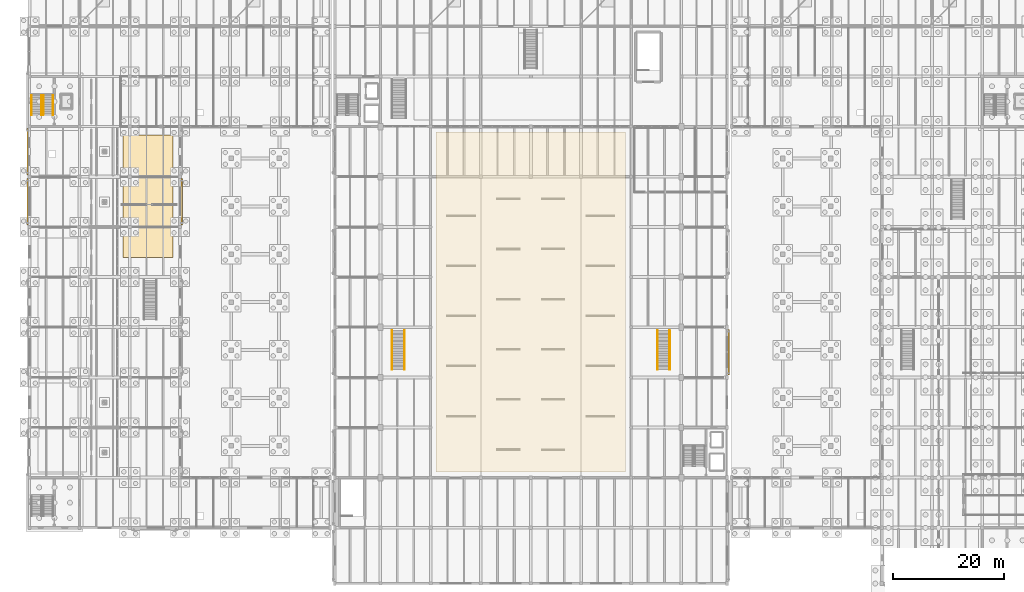
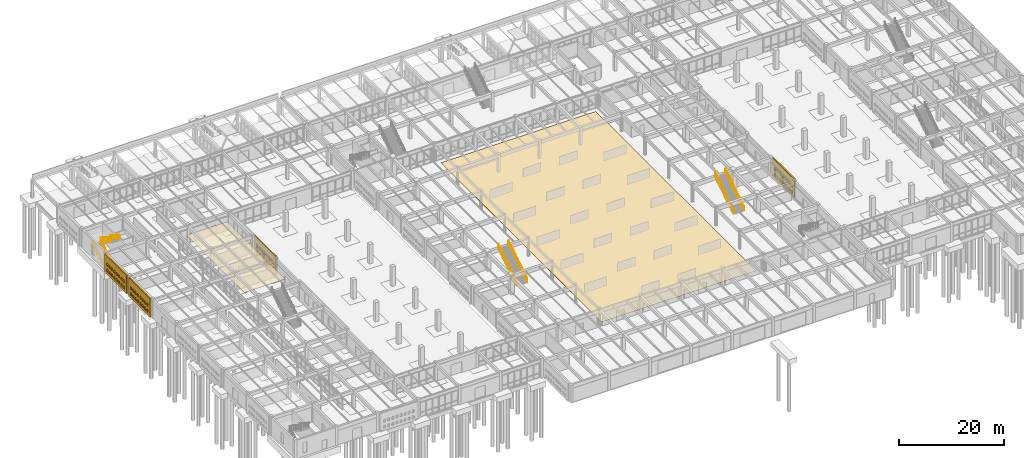
# One storey, part 180 of 186: 11 railings, 6 coverings.
"""IFC4 building model written with IfcOpenShell, lengths in metres."""

from ifc_helpers import new_model, si_unit, direction, frame, origin, origin_2d, place, context, subcontext, project, spatial, polyline, circle, outline, extrude, material, layer, layer_set, type_object, element, save


model = new_model("IFC4")

# Units and contexts
model_context = context("Model", 3, precision=1e-05, world=origin(), true_north=direction((0.0, 1.0)))
body_context = subcontext(model_context, "Body", "Model", "MODEL_VIEW")
ifc_project = project(units=[si_unit("LENGTHUNIT", "METRE"), si_unit("AREAUNIT", "SQUARE_METRE"), si_unit("VOLUMEUNIT", "CUBIC_METRE"), si_unit("PLANEANGLEUNIT", "RADIAN"), si_unit("MASSUNIT", "GRAM", prefix="KILO")], contexts=[model_context])

# Site, building, storey
site_placement = place(None, origin())
site = spatial("IfcSite", under=ifc_project, at=site_placement, CompositionType="ELEMENT")
building_placement = place(site_placement, origin())
building = spatial("IfcBuilding", under=site, at=building_placement, Name="Ornek Quay Market", CompositionType="ELEMENT")
storey_placement = place(building_placement, origin())
storey = spatial("IfcBuildingStorey", under=building, at=storey_placement, Name="L00", CompositionType="ELEMENT", Elevation=0.0)

# Coverings
ifc_material_1 = material(Name="Frost-resistant facing clay brick M200 F100", Category="masonry")
ifc_layer_1 = layer(ifc_material_1, 0.25, Name="Frost-resistant facing clay brick M200 F100", Category="masonry")
ifc_layer_set_1 = layer_set([ifc_layer_1], Name="Frost-resistant facing clay brick M200 F100")
covering_type_1 = type_object("IfcCoveringType", Name="COV-BRICK-LATTICE-250", PredefinedType="CLADDING", material=ifc_layer_set_1)
covering_1_placement = place(storey_placement, frame((-0.340087890625, 74.35009765625, 0.0), z_axis=(0.0, 0.0, 1.0), x_axis=(0.0, 1.0, 0.0)))
element("IfcCovering", 1, at=covering_1_placement, inside=storey, type_object=covering_type_1, Name="Arched brick lattice screen BLS-004", PredefinedType="CLADDING", context=body_context, shape_type="SweptSolid", body=[
    extrude(outline(polyline([(0.0, 0.0), (8.2998046875, 0.0), (8.2998046875, 4.219970703125), (0.0, 4.219970703125), (0.0, 0.0)]), holes=[polyline([(0.760009765625, 0.550048828125), (1.239990234375, 0.550048828125), (1.239990234375, 1.050048828125), (1.1201171875, 1.2578125), (0.8798828125, 1.2578125), (0.760009765625, 1.050048828125), (0.760009765625, 0.550048828125)]), polyline([(0.760009765625, 1.949951171875), (1.239990234375, 1.949951171875), (1.239990234375, 2.449951171875), (1.1201171875, 2.65771484375), (0.8798828125, 2.65771484375), (0.760009765625, 2.449951171875), (0.760009765625, 1.949951171875)]), polyline([(1.659912109375, 0.550048828125), (2.139892578125, 0.550048828125), (2.139892578125, 1.050048828125), (2.02001953125, 1.2578125), (1.780029296875, 1.2578125), (1.659912109375, 1.050048828125), (1.659912109375, 0.550048828125)]), polyline([(1.659912109375, 1.949951171875), (2.139892578125, 1.949951171875), (2.139892578125, 2.449951171875), (2.02001953125, 2.65771484375), (1.780029296875, 2.65771484375), (1.659912109375, 2.449951171875), (1.659912109375, 1.949951171875)]), polyline([(2.56005859375, 0.550048828125), (3.0400390625, 0.550048828125), (3.0400390625, 1.050048828125), (2.919921875, 1.2578125), (2.679931640625, 1.2578125), (2.56005859375, 1.050048828125), (2.56005859375, 0.550048828125)]), polyline([(2.56005859375, 1.949951171875), (3.0400390625, 1.949951171875), (3.0400390625, 2.449951171875), (2.919921875, 2.65771484375), (2.679931640625, 2.65771484375), (2.56005859375, 2.449951171875), (2.56005859375, 1.949951171875)]), polyline([(3.4599609375, 0.550048828125), (3.93994140625, 0.550048828125), (3.93994140625, 1.050048828125), (3.820068359375, 1.2578125), (3.580078125, 1.2578125), (3.4599609375, 1.050048828125), (3.4599609375, 0.550048828125)]), polyline([(3.4599609375, 1.949951171875), (3.93994140625, 1.949951171875), (3.93994140625, 2.449951171875), (3.820068359375, 2.65771484375), (3.580078125, 2.65771484375), (3.4599609375, 2.449951171875), (3.4599609375, 1.949951171875)]), polyline([(4.360107421875, 0.550048828125), (4.840087890625, 0.550048828125), (4.840087890625, 1.050048828125), (4.719970703125, 1.2578125), (4.47998046875, 1.2578125), (4.360107421875, 1.050048828125), (4.360107421875, 0.550048828125)]), polyline([(4.360107421875, 1.949951171875), (4.840087890625, 1.949951171875), (4.840087890625, 2.449951171875), (4.719970703125, 2.65771484375), (4.47998046875, 2.65771484375), (4.360107421875, 2.449951171875), (4.360107421875, 1.949951171875)]), polyline([(5.260009765625, 0.550048828125), (5.739990234375, 0.550048828125), (5.739990234375, 1.050048828125), (5.6201171875, 1.2578125), (5.3798828125, 1.2578125), (5.260009765625, 1.050048828125), (5.260009765625, 0.550048828125)]), polyline([(5.260009765625, 1.949951171875), (5.739990234375, 1.949951171875), (5.739990234375, 2.449951171875), (5.6201171875, 2.65771484375), (5.3798828125, 2.65771484375), (5.260009765625, 2.449951171875), (5.260009765625, 1.949951171875)]), polyline([(6.159912109375, 0.550048828125), (6.639892578125, 0.550048828125), (6.639892578125, 1.050048828125), (6.52001953125, 1.2578125), (6.280029296875, 1.2578125), (6.159912109375, 1.050048828125), (6.159912109375, 0.550048828125)]), polyline([(6.159912109375, 1.949951171875), (6.639892578125, 1.949951171875), (6.639892578125, 2.449951171875), (6.52001953125, 2.65771484375), (6.280029296875, 2.65771484375), (6.159912109375, 2.449951171875), (6.159912109375, 1.949951171875)]), polyline([(7.06005859375, 0.550048828125), (7.5400390625, 0.550048828125), (7.5400390625, 1.050048828125), (7.419921875, 1.2578125), (7.179931640625, 1.2578125), (7.06005859375, 1.050048828125), (7.06005859375, 0.550048828125)]), polyline([(7.06005859375, 1.949951171875), (7.5400390625, 1.949951171875), (7.5400390625, 2.449951171875), (7.419921875, 2.65771484375), (7.179931640625, 2.65771484375), (7.06005859375, 2.449951171875), (7.06005859375, 1.949951171875)])]), frame((0.0, 0.125, 0.0), z_axis=(0.0, -1.0, 0.0), x_axis=(1.0, 0.0, 0.0)), (0.0, 0.0, 1.0), 0.25),
])
covering_2_placement = place(storey_placement, frame((-0.340087890625, 83.35009765625, 0.0), z_axis=(0.0, 0.0, 1.0), x_axis=(0.0, 1.0, 0.0)))
element("IfcCovering", 2, at=covering_2_placement, inside=storey, type_object=covering_type_1, Name="Arched brick lattice screen BLS-005", PredefinedType="CLADDING", context=body_context, shape_type="SweptSolid", body=[
    extrude(outline(polyline([(0.0, 0.0), (8.2998046875, 0.0), (8.2998046875, 4.219970703125), (0.0, 4.219970703125), (0.0, 0.0)]), holes=[polyline([(0.760009765625, 0.550048828125), (1.239990234375, 0.550048828125), (1.239990234375, 1.050048828125), (1.1201171875, 1.2578125), (0.8798828125, 1.2578125), (0.760009765625, 1.050048828125), (0.760009765625, 0.550048828125)]), polyline([(0.760009765625, 1.949951171875), (1.239990234375, 1.949951171875), (1.239990234375, 2.449951171875), (1.1201171875, 2.65771484375), (0.8798828125, 2.65771484375), (0.760009765625, 2.449951171875), (0.760009765625, 1.949951171875)]), polyline([(1.659912109375, 0.550048828125), (2.139892578125, 0.550048828125), (2.139892578125, 1.050048828125), (2.02001953125, 1.2578125), (1.780029296875, 1.2578125), (1.659912109375, 1.050048828125), (1.659912109375, 0.550048828125)]), polyline([(1.659912109375, 1.949951171875), (2.139892578125, 1.949951171875), (2.139892578125, 2.449951171875), (2.02001953125, 2.65771484375), (1.780029296875, 2.65771484375), (1.659912109375, 2.449951171875), (1.659912109375, 1.949951171875)]), polyline([(2.56005859375, 0.550048828125), (3.0400390625, 0.550048828125), (3.0400390625, 1.050048828125), (2.919921875, 1.2578125), (2.679931640625, 1.2578125), (2.56005859375, 1.050048828125), (2.56005859375, 0.550048828125)]), polyline([(2.56005859375, 1.949951171875), (3.0400390625, 1.949951171875), (3.0400390625, 2.449951171875), (2.919921875, 2.65771484375), (2.679931640625, 2.65771484375), (2.56005859375, 2.449951171875), (2.56005859375, 1.949951171875)]), polyline([(3.4599609375, 0.550048828125), (3.93994140625, 0.550048828125), (3.93994140625, 1.050048828125), (3.820068359375, 1.2578125), (3.580078125, 1.2578125), (3.4599609375, 1.050048828125), (3.4599609375, 0.550048828125)]), polyline([(3.4599609375, 1.949951171875), (3.93994140625, 1.949951171875), (3.93994140625, 2.449951171875), (3.820068359375, 2.65771484375), (3.580078125, 2.65771484375), (3.4599609375, 2.449951171875), (3.4599609375, 1.949951171875)]), polyline([(4.360107421875, 0.550048828125), (4.840087890625, 0.550048828125), (4.840087890625, 1.050048828125), (4.719970703125, 1.2578125), (4.47998046875, 1.2578125), (4.360107421875, 1.050048828125), (4.360107421875, 0.550048828125)]), polyline([(4.360107421875, 1.949951171875), (4.840087890625, 1.949951171875), (4.840087890625, 2.449951171875), (4.719970703125, 2.65771484375), (4.47998046875, 2.65771484375), (4.360107421875, 2.449951171875), (4.360107421875, 1.949951171875)]), polyline([(5.260009765625, 0.550048828125), (5.739990234375, 0.550048828125), (5.739990234375, 1.050048828125), (5.6201171875, 1.2578125), (5.3798828125, 1.2578125), (5.260009765625, 1.050048828125), (5.260009765625, 0.550048828125)]), polyline([(5.260009765625, 1.949951171875), (5.739990234375, 1.949951171875), (5.739990234375, 2.449951171875), (5.6201171875, 2.65771484375), (5.3798828125, 2.65771484375), (5.260009765625, 2.449951171875), (5.260009765625, 1.949951171875)]), polyline([(6.159912109375, 0.550048828125), (6.639892578125, 0.550048828125), (6.639892578125, 1.050048828125), (6.52001953125, 1.2578125), (6.280029296875, 1.2578125), (6.159912109375, 1.050048828125), (6.159912109375, 0.550048828125)]), polyline([(6.159912109375, 1.949951171875), (6.639892578125, 1.949951171875), (6.639892578125, 2.449951171875), (6.52001953125, 2.65771484375), (6.280029296875, 2.65771484375), (6.159912109375, 2.449951171875), (6.159912109375, 1.949951171875)]), polyline([(7.06005859375, 0.550048828125), (7.5400390625, 0.550048828125), (7.5400390625, 1.050048828125), (7.419921875, 1.2578125), (7.179931640625, 1.2578125), (7.06005859375, 1.050048828125), (7.06005859375, 0.550048828125)]), polyline([(7.06005859375, 1.949951171875), (7.5400390625, 1.949951171875), (7.5400390625, 2.449951171875), (7.419921875, 2.65771484375), (7.179931640625, 2.65771484375), (7.06005859375, 2.449951171875), (7.06005859375, 1.949951171875)])]), frame((0.0, 0.125, 0.0), z_axis=(0.0, -1.0, 0.0), x_axis=(1.0, 0.0, 0.0)), (0.0, 0.0, 1.0), 0.25),
])
covering_3_placement = place(storey_placement, frame((27.340087890625, 74.35009765625, 0.0), z_axis=(0.0, 0.0, 1.0), x_axis=(0.0, 1.0, 0.0)))
element("IfcCovering", 3, at=covering_3_placement, inside=storey, type_object=covering_type_1, Name="Arched brick lattice screen BLS-010", PredefinedType="CLADDING", context=body_context, shape_type="SweptSolid", body=[
    extrude(outline(polyline([(0.0, 0.0), (8.2998046875, 0.0), (8.2998046875, 4.219970703125), (0.0, 4.219970703125), (0.0, 0.0)]), holes=[polyline([(0.760009765625, 0.550048828125), (1.239990234375, 0.550048828125), (1.239990234375, 1.050048828125), (1.1201171875, 1.2578125), (0.8798828125, 1.2578125), (0.760009765625, 1.050048828125), (0.760009765625, 0.550048828125)]), polyline([(0.760009765625, 1.949951171875), (1.239990234375, 1.949951171875), (1.239990234375, 2.449951171875), (1.1201171875, 2.65771484375), (0.8798828125, 2.65771484375), (0.760009765625, 2.449951171875), (0.760009765625, 1.949951171875)]), polyline([(1.659912109375, 0.550048828125), (2.139892578125, 0.550048828125), (2.139892578125, 1.050048828125), (2.02001953125, 1.2578125), (1.780029296875, 1.2578125), (1.659912109375, 1.050048828125), (1.659912109375, 0.550048828125)]), polyline([(1.659912109375, 1.949951171875), (2.139892578125, 1.949951171875), (2.139892578125, 2.449951171875), (2.02001953125, 2.65771484375), (1.780029296875, 2.65771484375), (1.659912109375, 2.449951171875), (1.659912109375, 1.949951171875)]), polyline([(2.56005859375, 0.550048828125), (3.0400390625, 0.550048828125), (3.0400390625, 1.050048828125), (2.919921875, 1.2578125), (2.679931640625, 1.2578125), (2.56005859375, 1.050048828125), (2.56005859375, 0.550048828125)]), polyline([(2.56005859375, 1.949951171875), (3.0400390625, 1.949951171875), (3.0400390625, 2.449951171875), (2.919921875, 2.65771484375), (2.679931640625, 2.65771484375), (2.56005859375, 2.449951171875), (2.56005859375, 1.949951171875)]), polyline([(3.4599609375, 0.550048828125), (3.93994140625, 0.550048828125), (3.93994140625, 1.050048828125), (3.820068359375, 1.2578125), (3.580078125, 1.2578125), (3.4599609375, 1.050048828125), (3.4599609375, 0.550048828125)]), polyline([(3.4599609375, 1.949951171875), (3.93994140625, 1.949951171875), (3.93994140625, 2.449951171875), (3.820068359375, 2.65771484375), (3.580078125, 2.65771484375), (3.4599609375, 2.449951171875), (3.4599609375, 1.949951171875)]), polyline([(4.360107421875, 0.550048828125), (4.840087890625, 0.550048828125), (4.840087890625, 1.050048828125), (4.719970703125, 1.2578125), (4.47998046875, 1.2578125), (4.360107421875, 1.050048828125), (4.360107421875, 0.550048828125)]), polyline([(4.360107421875, 1.949951171875), (4.840087890625, 1.949951171875), (4.840087890625, 2.449951171875), (4.719970703125, 2.65771484375), (4.47998046875, 2.65771484375), (4.360107421875, 2.449951171875), (4.360107421875, 1.949951171875)]), polyline([(5.260009765625, 0.550048828125), (5.739990234375, 0.550048828125), (5.739990234375, 1.050048828125), (5.6201171875, 1.2578125), (5.3798828125, 1.2578125), (5.260009765625, 1.050048828125), (5.260009765625, 0.550048828125)]), polyline([(5.260009765625, 1.949951171875), (5.739990234375, 1.949951171875), (5.739990234375, 2.449951171875), (5.6201171875, 2.65771484375), (5.3798828125, 2.65771484375), (5.260009765625, 2.449951171875), (5.260009765625, 1.949951171875)]), polyline([(6.159912109375, 0.550048828125), (6.639892578125, 0.550048828125), (6.639892578125, 1.050048828125), (6.52001953125, 1.2578125), (6.280029296875, 1.2578125), (6.159912109375, 1.050048828125), (6.159912109375, 0.550048828125)]), polyline([(6.159912109375, 1.949951171875), (6.639892578125, 1.949951171875), (6.639892578125, 2.449951171875), (6.52001953125, 2.65771484375), (6.280029296875, 2.65771484375), (6.159912109375, 2.449951171875), (6.159912109375, 1.949951171875)]), polyline([(7.06005859375, 0.550048828125), (7.5400390625, 0.550048828125), (7.5400390625, 1.050048828125), (7.419921875, 1.2578125), (7.179931640625, 1.2578125), (7.06005859375, 1.050048828125), (7.06005859375, 0.550048828125)]), polyline([(7.06005859375, 1.949951171875), (7.5400390625, 1.949951171875), (7.5400390625, 2.449951171875), (7.419921875, 2.65771484375), (7.179931640625, 2.65771484375), (7.06005859375, 2.449951171875), (7.06005859375, 1.949951171875)])]), frame((0.0, 0.125, 0.0), z_axis=(0.0, -1.0, 0.0), x_axis=(1.0, 0.0, 0.0)), (0.0, 0.0, 1.0), 0.25),
])
ifc_layer_2 = layer(ifc_material_1, 0.2900390625, Name="Frost-resistant facing clay brick M200 F100", Category="masonry")
ifc_layer_set_2 = layer_set([ifc_layer_2], Name="Frost-resistant facing clay brick M200 F100")
covering_type_2 = type_object("IfcCoveringType", Name="COV-BRICK-LATTICE-290", PredefinedType="CLADDING", material=ifc_layer_set_2)
covering_4_placement = place(storey_placement, frame((125.5400390625, 47.39990234375, 0.0), z_axis=(0.0, 0.0, 1.0), x_axis=(0.0, 1.0, 0.0)))
element("IfcCovering", 4, at=covering_4_placement, inside=storey, type_object=covering_type_2, Name="Arched brick lattice screen BLS-039", PredefinedType="CLADDING", context=body_context, shape_type="SweptSolid", body=[
    extrude(outline(polyline([(0.0, 0.0), (8.2001953125, 0.0), (8.2001953125, 4.239990234375), (0.0, 4.239990234375), (0.0, 0.0)]), holes=[polyline([(0.7099609375, 0.550048828125), (1.18994140625, 0.550048828125), (1.18994140625, 1.050048828125), (1.070068359375, 1.2578125), (0.830078125, 1.2578125), (0.7099609375, 1.050048828125), (0.7099609375, 0.550048828125)]), polyline([(0.7099609375, 1.949951171875), (1.18994140625, 1.949951171875), (1.18994140625, 2.449951171875), (1.070068359375, 2.65771484375), (0.830078125, 2.65771484375), (0.7099609375, 2.449951171875), (0.7099609375, 1.949951171875)]), polyline([(1.610107421875, 0.550048828125), (2.090087890625, 0.550048828125), (2.090087890625, 1.050048828125), (1.969970703125, 1.2578125), (1.72998046875, 1.2578125), (1.610107421875, 1.050048828125), (1.610107421875, 0.550048828125)]), polyline([(1.610107421875, 1.949951171875), (2.090087890625, 1.949951171875), (2.090087890625, 2.449951171875), (1.969970703125, 2.65771484375), (1.72998046875, 2.65771484375), (1.610107421875, 2.449951171875), (1.610107421875, 1.949951171875)]), polyline([(2.510009765625, 0.550048828125), (2.989990234375, 0.550048828125), (2.989990234375, 1.050048828125), (2.8701171875, 1.2578125), (2.6298828125, 1.2578125), (2.510009765625, 1.050048828125), (2.510009765625, 0.550048828125)]), polyline([(2.510009765625, 1.949951171875), (2.989990234375, 1.949951171875), (2.989990234375, 2.449951171875), (2.8701171875, 2.65771484375), (2.6298828125, 2.65771484375), (2.510009765625, 2.449951171875), (2.510009765625, 1.949951171875)]), polyline([(3.409912109375, 0.550048828125), (3.889892578125, 0.550048828125), (3.889892578125, 1.050048828125), (3.77001953125, 1.2578125), (3.530029296875, 1.2578125), (3.409912109375, 1.050048828125), (3.409912109375, 0.550048828125)]), polyline([(3.409912109375, 1.949951171875), (3.889892578125, 1.949951171875), (3.889892578125, 2.449951171875), (3.77001953125, 2.65771484375), (3.530029296875, 2.65771484375), (3.409912109375, 2.449951171875), (3.409912109375, 1.949951171875)]), polyline([(4.31005859375, 0.550048828125), (4.7900390625, 0.550048828125), (4.7900390625, 1.050048828125), (4.669921875, 1.2578125), (4.429931640625, 1.2578125), (4.31005859375, 1.050048828125), (4.31005859375, 0.550048828125)]), polyline([(4.31005859375, 1.949951171875), (4.7900390625, 1.949951171875), (4.7900390625, 2.449951171875), (4.669921875, 2.65771484375), (4.429931640625, 2.65771484375), (4.31005859375, 2.449951171875), (4.31005859375, 1.949951171875)]), polyline([(5.2099609375, 0.550048828125), (5.68994140625, 0.550048828125), (5.68994140625, 1.050048828125), (5.570068359375, 1.2578125), (5.330078125, 1.2578125), (5.2099609375, 1.050048828125), (5.2099609375, 0.550048828125)]), polyline([(5.2099609375, 1.949951171875), (5.68994140625, 1.949951171875), (5.68994140625, 2.449951171875), (5.570068359375, 2.65771484375), (5.330078125, 2.65771484375), (5.2099609375, 2.449951171875), (5.2099609375, 1.949951171875)]), polyline([(6.110107421875, 0.550048828125), (6.590087890625, 0.550048828125), (6.590087890625, 1.050048828125), (6.469970703125, 1.2578125), (6.22998046875, 1.2578125), (6.110107421875, 1.050048828125), (6.110107421875, 0.550048828125)]), polyline([(6.110107421875, 1.949951171875), (6.590087890625, 1.949951171875), (6.590087890625, 2.449951171875), (6.469970703125, 2.65771484375), (6.22998046875, 2.65771484375), (6.110107421875, 2.449951171875), (6.110107421875, 1.949951171875)]), polyline([(7.010009765625, 0.550048828125), (7.489990234375, 0.550048828125), (7.489990234375, 1.050048828125), (7.3701171875, 1.2578125), (7.1298828125, 1.2578125), (7.010009765625, 1.050048828125), (7.010009765625, 0.550048828125)]), polyline([(7.010009765625, 1.949951171875), (7.489990234375, 1.949951171875), (7.489990234375, 2.449951171875), (7.3701171875, 2.65771484375), (7.1298828125, 2.65771484375), (7.010009765625, 2.449951171875), (7.010009765625, 1.949951171875)])]), frame((0.0, 0.14501953125, 0.0), z_axis=(0.0, -1.0, 0.0), x_axis=(1.0, 0.0, 0.0)), (0.0, 0.0, 1.0), 0.2900390625),
])
ifc_material_2 = material(Name="Perforated larch acoustic slat ceiling", Category="other")
ifc_layer_3 = layer(ifc_material_2, 0.044921875, Name="Perforated larch acoustic slat ceiling", Category="other")
ifc_layer_set_3 = layer_set([ifc_layer_3], Name="Perforated larch acoustic slat ceiling")
covering_type_3 = type_object("IfcCoveringType", Name="COV-CEIL-TIMBER-45", PredefinedType="CEILING", material=ifc_layer_set_3)
covering_5_placement = place(storey_placement, frame((0.0, 0.0, 3.14990234375)))
element("IfcCovering", 5, at=covering_5_placement, inside=storey, type_object=covering_type_3, Name="Suspended acoustic ceiling CLG-03", PredefinedType="CEILING", context=body_context, shape_type="SweptSolid", body=[
    extrude(outline(polyline([(16.800048828125, 68.5), (25.800048828125, 68.5), (25.800048828125, 90.5), (16.800048828125, 90.5), (16.800048828125, 68.5)])), origin(), (0.0, 0.0, 1.0), 0.045166015625),
])
ifc_material_3 = material(Name="Polished granite-aggregate terrazzo flooring", Category="masonry")
ifc_layer_4 = layer(ifc_material_3, 0.034912109375, Name="Polished granite-aggregate terrazzo flooring", Category="masonry")
ifc_layer_set_4 = layer_set([ifc_layer_4], Name="Polished granite-aggregate terrazzo flooring")
covering_type_4 = type_object("IfcCoveringType", Name="COV-FLR-TERRAZZO-35", PredefinedType="FLOORING", material=ifc_layer_set_4)
covering_6_placement = place(storey_placement, origin())
element("IfcCovering", 6, at=covering_6_placement, inside=storey, type_object=covering_type_4, Name="Finished flooring FLG-14", PredefinedType="FLOORING", context=body_context, shape_type="SweptSolid", body=[
    extrude(outline(polyline([(73.0, 30.0), (107.0, 30.0), (107.0, 91.0), (73.0, 91.0), (73.0, 30.0)])), origin(), (0.0, 0.0, 1.0), 0.034912109375),
])

# Railings
ifc_material_4 = material(Name="Brushed stainless steel 316", Category="steel")
railing_type_1 = type_object("IfcRailingType", Name="RL-GUARD-STAIR-1100", PredefinedType="GUARDRAIL", material=ifc_material_4)
railing_1_placement = place(storey_placement, frame((2.10009765625, 94.095947265625, 0.0)))
element("IfcRailing", 7, at=railing_1_placement, inside=storey, type_object=railing_type_1, Name="Railing GR-03-001", PredefinedType="GUARDRAIL", context=body_context, shape_type="SweptSolid", body=[
    extrude(circle(Radius=0.02392578125, at=origin_2d()), frame((0.0, 0.0, 1.09619140625), z_axis=(0.0, 0.840903622667, 0.541184901292), x_axis=(-1.0, 0.0, 0.0)), (0.0, 0.0, 1.0), 4.12744140625),
    extrude(circle(Radius=0.02392578125, at=origin_2d()), frame((0.030029296875, 3.49609375, 3.34619140625), z_axis=(1.0, 0.0, 0.0), x_axis=(0.0, 1.0, 0.0)), (0.0, 0.0, 1.0), 0.33984375),
    extrude(circle(Radius=0.02392578125, at=origin_2d()), frame((0.39990234375, 3.470947265625, 3.3623046875), z_axis=(0.0, -0.840610876962, 0.541639505145), x_axis=(1.0, 0.0, 0.0)), (0.0, 0.0, 1.0), 4.1240234375),
    extrude(circle(Radius=0.02099609375, at=origin_2d()), origin(), (0.0, 0.0, 1.0), 1.068115234375),
    extrude(circle(Radius=0.02099609375, at=origin_2d()), frame((0.0, 0.8740234375, 0.5625)), (0.0, 0.0, 1.0), 1.068115234375),
    extrude(circle(Radius=0.02099609375, at=origin_2d()), frame((0.0, 1.748046875, 1.125)), (0.0, 0.0, 1.0), 1.068115234375),
    extrude(circle(Radius=0.02099609375, at=origin_2d()), frame((0.0, 2.6220703125, 1.6875)), (0.0, 0.0, 1.0), 1.068115234375),
    extrude(circle(Radius=0.02099609375, at=origin_2d()), frame((0.0, 3.49609375, 2.25)), (0.0, 0.0, 1.0), 1.068115234375),
    extrude(circle(Radius=0.02099609375, at=origin_2d()), frame((0.39990234375, 3.49609375, 2.25)), (0.0, 0.0, 1.0), 1.068115234375),
    extrude(circle(Radius=0.02099609375, at=origin_2d()), frame((0.39990234375, 2.623046875, 2.8125)), (0.0, 0.0, 1.0), 1.068115234375),
    extrude(circle(Radius=0.02099609375, at=origin_2d()), frame((0.39990234375, 1.75, 3.375)), (0.0, 0.0, 1.0), 1.068115234375),
    extrude(circle(Radius=0.02099609375, at=origin_2d()), frame((0.39990234375, 0.877197265625, 3.9375)), (0.0, 0.0, 1.0), 1.068115234375),
    extrude(circle(Radius=0.02099609375, at=origin_2d()), frame((0.39990234375, 0.004150390625, 4.5)), (0.0, 0.0, 1.0), 1.068115234375),
])
for number, where, name in (
    (8, (65.06005859375, 48.404052734375, 0.0), "Railing GR-03-065"),
    (9, (67.340087890625, 48.404052734375, 0.0), "Railing GR-03-066"),
    (10, (112.659912109375, 48.404052734375, 0.0), "Railing GR-03-070"),
    (11, (114.93994140625, 48.404052734375, 0.0), "Railing GR-03-071"),
):
    element("IfcRailing", number, at=place(storey_placement, frame(where)), inside=storey, type_object=railing_type_1, Name=name, PredefinedType="GUARDRAIL", context=body_context, shape_type="SweptSolid", body=[
        extrude(circle(Radius=0.02392578125, at=origin_2d()), frame((0.0, 0.0, 1.09619140625), z_axis=(0.0, 0.841032540973, 0.540984533073), x_axis=(-1.0, 0.0, 0.0)), (0.0, 0.0, 1.0), 8.318115234375),
        extrude(circle(Radius=0.02099609375, at=origin_2d()), origin(), (0.0, 0.0, 1.0), 1.068115234375),
        extrude(circle(Radius=0.02099609375, at=origin_2d()), frame((0.0, 0.87451171875, 0.5625)), (0.0, 0.0, 1.0), 1.068115234375),
        extrude(circle(Radius=0.02099609375, at=origin_2d()), frame((0.0, 1.7490234375, 1.125)), (0.0, 0.0, 1.0), 1.068115234375),
        extrude(circle(Radius=0.02099609375, at=origin_2d()), frame((0.0, 2.62353515625, 1.6875)), (0.0, 0.0, 1.0), 1.068115234375),
        extrude(circle(Radius=0.02099609375, at=origin_2d()), frame((0.0, 3.498046875, 2.25)), (0.0, 0.0, 1.0), 1.068115234375),
        extrude(circle(Radius=0.02099609375, at=origin_2d()), frame((0.0, 4.372314453125, 2.8125)), (0.0, 0.0, 1.0), 1.068115234375),
        extrude(circle(Radius=0.02099609375, at=origin_2d()), frame((0.0, 5.246826171875, 3.375)), (0.0, 0.0, 1.0), 1.068115234375),
        extrude(circle(Radius=0.02099609375, at=origin_2d()), frame((0.0, 6.121337890625, 3.9375)), (0.0, 0.0, 1.0), 1.068115234375),
        extrude(circle(Radius=0.02099609375, at=origin_2d()), frame((0.0, 6.995849609375, 4.5)), (0.0, 0.0, 1.0), 1.068115234375),
    ])
railing_type_2 = type_object("IfcRailingType", Name="RL-HANDRAIL-920", PredefinedType="HANDRAIL", material=ifc_material_4)
railing_2_placement = place(storey_placement, frame((0.3798828125, 94.095947265625, 0.080078125)))
element("IfcRailing", 12, at=railing_2_placement, inside=storey, type_object=railing_type_2, Name="Railing HR-01-002", PredefinedType="HANDRAIL", context=body_context, shape_type="SweptSolid", body=[
    extrude(circle(Radius=0.02392578125, at=origin_2d()), frame((0.0, 0.0, 0.89599609375), z_axis=(0.0, 0.840903622667, 0.541184901292), x_axis=(-1.0, 0.0, 0.0)), (0.0, 0.0, 1.0), 4.157470703125),
    extrude(circle(Radius=0.02099609375, at=origin_2d()), origin(), (0.0, 0.0, 1.0), 0.867919921875),
    extrude(circle(Radius=0.02099609375, at=origin_2d()), frame((0.0, 0.8740234375, 0.5625)), (0.0, 0.0, 1.0), 0.867919921875),
    extrude(circle(Radius=0.02099609375, at=origin_2d()), frame((0.0, 1.748046875, 1.125)), (0.0, 0.0, 1.0), 0.867919921875),
    extrude(circle(Radius=0.02099609375, at=origin_2d()), frame((0.0, 2.6220703125, 1.6875)), (0.0, 0.0, 1.0), 0.867919921875),
    extrude(circle(Radius=0.02099609375, at=origin_2d()), frame((0.0, 3.49609375, 2.25)), (0.0, 0.0, 1.0), 0.867919921875),
])
railing_3_placement = place(storey_placement, frame((4.219970703125, 97.592041015625, 2.330078125)))
element("IfcRailing", 13, at=railing_3_placement, inside=storey, type_object=railing_type_2, Name="Railing HR-01-003", PredefinedType="HANDRAIL", context=body_context, shape_type="SweptSolid", body=[
    extrude(circle(Radius=0.02392578125, at=origin_2d()), frame((0.0, 0.0, 0.89599609375), z_axis=(0.0, -0.840610876962, 0.541639505145), x_axis=(1.0, 0.0, 0.0)), (0.0, 0.0, 1.0), 4.154052734375),
    extrude(circle(Radius=0.02099609375, at=origin_2d()), origin(), (0.0, 0.0, 1.0), 0.867919921875),
    extrude(circle(Radius=0.02099609375, at=origin_2d()), frame((0.0, -0.873046875, 0.5625)), (0.0, 0.0, 1.0), 0.867919921875),
    extrude(circle(Radius=0.02099609375, at=origin_2d()), frame((0.0, -1.74609375, 1.125)), (0.0, 0.0, 1.0), 0.867919921875),
    extrude(circle(Radius=0.02099609375, at=origin_2d()), frame((0.0, -2.618896484375, 1.6875)), (0.0, 0.0, 1.0), 0.867919921875),
    extrude(circle(Radius=0.02099609375, at=origin_2d()), frame((0.0, -3.491943359375, 2.25)), (0.0, 0.0, 1.0), 0.867919921875),
])
for number, where, name in (
    (14, (65.1201171875, 48.404052734375, 0.080078125), "Railing HR-01-067"),
    (15, (67.280029296875, 48.404052734375, 0.080078125), "Railing HR-01-068"),
    (16, (112.719970703125, 48.404052734375, 0.080078125), "Railing HR-01-072"),
    (17, (114.8798828125, 48.404052734375, 0.080078125), "Railing HR-01-073"),
):
    element("IfcRailing", number, at=place(storey_placement, frame(where)), inside=storey, type_object=railing_type_2, Name=name, PredefinedType="HANDRAIL", context=body_context, shape_type="SweptSolid", body=[
        extrude(circle(Radius=0.02392578125, at=origin_2d()), frame((0.0, 0.0, 0.89599609375), z_axis=(0.0, 0.841032540973, 0.540984533073), x_axis=(-1.0, 0.0, 0.0)), (0.0, 0.0, 1.0), 8.318115234375),
        extrude(circle(Radius=0.02099609375, at=origin_2d()), origin(), (0.0, 0.0, 1.0), 0.867919921875),
        extrude(circle(Radius=0.02099609375, at=origin_2d()), frame((0.0, 0.87451171875, 0.5625)), (0.0, 0.0, 1.0), 0.867919921875),
        extrude(circle(Radius=0.02099609375, at=origin_2d()), frame((0.0, 1.7490234375, 1.125)), (0.0, 0.0, 1.0), 0.867919921875),
        extrude(circle(Radius=0.02099609375, at=origin_2d()), frame((0.0, 2.62353515625, 1.6875)), (0.0, 0.0, 1.0), 0.867919921875),
        extrude(circle(Radius=0.02099609375, at=origin_2d()), frame((0.0, 3.498046875, 2.25)), (0.0, 0.0, 1.0), 0.867919921875),
        extrude(circle(Radius=0.02099609375, at=origin_2d()), frame((0.0, 4.372314453125, 2.8125)), (0.0, 0.0, 1.0), 0.867919921875),
        extrude(circle(Radius=0.02099609375, at=origin_2d()), frame((0.0, 5.246826171875, 3.375)), (0.0, 0.0, 1.0), 0.867919921875),
        extrude(circle(Radius=0.02099609375, at=origin_2d()), frame((0.0, 6.121337890625, 3.9375)), (0.0, 0.0, 1.0), 0.867919921875),
        extrude(circle(Radius=0.02099609375, at=origin_2d()), frame((0.0, 6.995849609375, 4.5)), (0.0, 0.0, 1.0), 0.867919921875),
    ])

save(model, "model.ifc")
